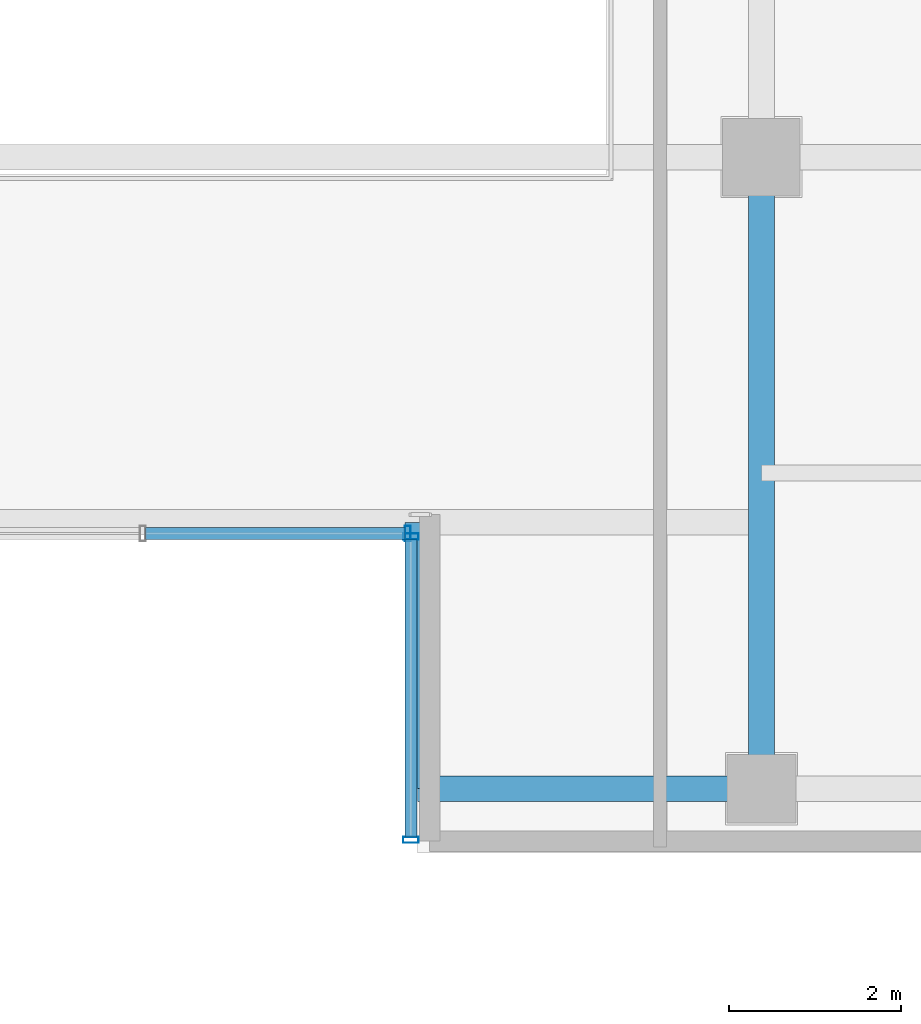
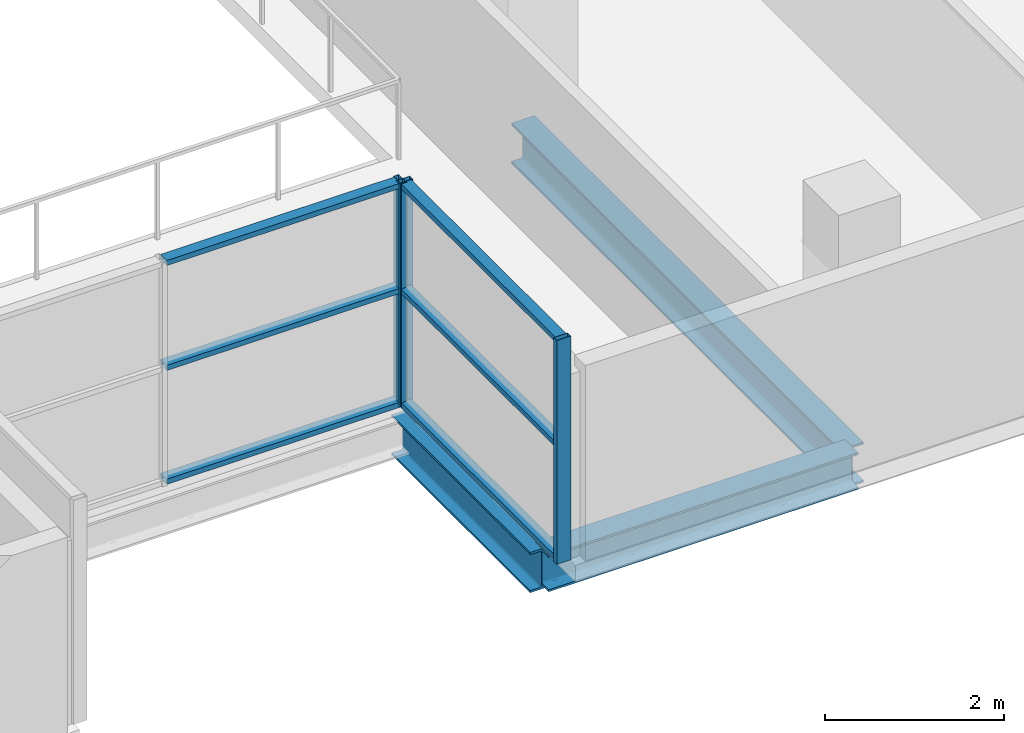
# One storey, part 10 of 28: 9 members, 3 beams, 2 elements without a shape of their own.
"""IFC4 building model written with IfcOpenShell, lengths in metres."""

from ifc_helpers import new_model, si_unit, direction, frame, origin, origin_2d, place, context, subcontext, project, spatial, hollow_rectangle, i_section, extrude, source, transform, mapped, material, layer, layer_set, material_profile, profile_set, type_object, element, aggregate, save


model = new_model("IFC4")

# Units and contexts
model_context = context("Model", 3, precision=1e-05, world=origin(), true_north=direction((0.0, 1.0)))
body_context = subcontext(model_context, "Body", "Model", "MODEL_VIEW")
ifc_project = project(units=[si_unit("LENGTHUNIT", "METRE"), si_unit("AREAUNIT", "SQUARE_METRE"), si_unit("VOLUMEUNIT", "CUBIC_METRE"), si_unit("PLANEANGLEUNIT", "RADIAN"), si_unit("MASSUNIT", "GRAM", prefix="KILO")], contexts=[model_context])

# Site, building, storey
site_placement = place(None, origin())
site = spatial("IfcSite", under=ifc_project, at=site_placement, CompositionType="ELEMENT")
building_placement = place(site_placement, origin())
building = spatial("IfcBuilding", under=site, at=building_placement, Name="Zarnakvel Exchange Tower", CompositionType="ELEMENT")
storey_placement = place(building_placement, frame((0.0, 0.0, 109.89990234375)))
storey = spatial("IfcBuildingStorey", under=building, at=storey_placement, Name="L30", CompositionType="ELEMENT", Elevation=109.89990234375)

# Beams
ifc_material_1 = material(Name="Steel S355", Category="steel")
ifc_material_profile_1 = material_profile(ifc_material_1, i_section(OverallWidth=0.300048828125, OverallDepth=0.550048828125, WebThickness=0.014892578125, FlangeThickness=0.029052734375, FilletRadius=0.027099609375, at=origin_2d()))
ifc_profile_set_1 = profile_set([ifc_material_profile_1], Name="Steel S355")
beam_type_1 = type_object("IfcBeamType", Name="G-05", PredefinedType="BEAM", material=ifc_profile_set_1)
beam_1_placement = place(storey_placement, frame((3.199951171875, -16.949951171875, -0.5), z_axis=(0.0, 1.0, 0.0), x_axis=(-1.0, 0.0, 0.0)))
element("IfcBeam", 1, at=beam_1_placement, inside=storey, type_object=beam_type_1, Name="L30 South Slot East Cheek Beam", PredefinedType="BEAM", context=body_context, shape_type="SweptSolid", body=[
    extrude(i_section(OverallWidth=0.300048828125, OverallDepth=0.550048828125, WebThickness=0.014892578125, FlangeThickness=0.029052734375, FilletRadius=0.027099609375, at=origin_2d()), origin(), (0.0, 0.0, 1.0), 3.099853515625),
])
beam_2_placement = place(storey_placement, frame((7.199951171875, -16.949951171875, -0.5), z_axis=(0.0, 1.0, 0.0), x_axis=(-1.0, 0.0, 0.0)))
element("IfcBeam", 2, at=beam_2_placement, inside=storey, type_object=beam_type_1, Name="L30 Tower N-S Frame Beam", PredefinedType="BEAM", context=body_context, shape_type="SweptSolid", body=[
    extrude(i_section(OverallWidth=0.300048828125, OverallDepth=0.550048828125, WebThickness=0.014892578125, FlangeThickness=0.029052734375, FilletRadius=0.027099609375, at=origin_2d()), origin(), (0.0, 0.0, 1.0), 7.349853515625),
])
ifc_material_profile_2 = material_profile(ifc_material_1, i_section(OverallWidth=0.300048828125, OverallDepth=0.5, WebThickness=0.014404296875, FlangeThickness=0.028076171875, FilletRadius=0.027099609375, at=origin_2d()))
ifc_profile_set_2 = profile_set([ifc_material_profile_2], Name="Steel S355")
beam_type_2 = type_object("IfcBeamType", Name="SP-02", PredefinedType="SPANDREL", material=ifc_profile_set_2)
beam_3_placement = place(storey_placement, frame((3.199951171875, -16.949951171875, -0.474853515625), z_axis=(1.0, 0.0, 0.0), x_axis=(0.0, 1.0, 0.0)))
element("IfcBeam", 3, at=beam_3_placement, inside=storey, type_object=beam_type_2, Name="L30 South Slot East Jamb Spandrel", PredefinedType="SPANDREL", context=body_context, shape_type="SweptSolid", body=[
    extrude(i_section(OverallWidth=0.300048828125, OverallDepth=0.5, WebThickness=0.014404296875, FlangeThickness=0.028076171875, FilletRadius=0.027099609375, at=origin_2d()), origin(), (0.0, 0.0, 1.0), 4.0),
])

# Curtain wall, member
ifc_material_2 = material(Name="Architectural Bronze Anodised Aluminium", Category="aluminium")
ifc_layer = layer(ifc_material_2, 0.179931640625)
ifc_layer_set = layer_set([ifc_layer], Name="Architectural Bronze Anodised Aluminium")
curtain_wall_type = type_object("IfcCurtainWallType", Name="CW-05", PredefinedType="NOTDEFINED", material=ifc_layer_set)
curtain_wall_1_placement = place(storey_placement, origin())
curtain_wall_1 = element("IfcCurtainWall", 4, at=curtain_wall_1_placement, inside=storey, type_object=curtain_wall_type, Name="L30 Curtain Wall CW-L30-SLB (CW-05)", PredefinedType="NOTDEFINED")
ifc_material_profile_3 = material_profile(ifc_material_2, hollow_rectangle(XDim=0.179931640625, YDim=0.070068359375, WallThickness=0.00390625, at=origin_2d()))
ifc_profile_set_3 = profile_set([ifc_material_profile_3], Name="Architectural Bronze Anodised Aluminium")
member_type_1 = type_object("IfcMemberType", Name="CWM-05", PredefinedType="MULLION", material=ifc_profile_set_3)
shared_shape_1 = source(origin(), body_context, "Body", "SweptSolid", [
    extrude(hollow_rectangle(XDim=0.179931640625, YDim=0.070068359375, WallThickness=0.00390625, at=origin_2d()), origin(), (0.0, 0.0, 1.0), 3.05517578125),
])
member_1_placement = place(storey_placement, frame((3.0849609375, -13.97998046875, 0.0), z_axis=(0.0, 0.0, 1.0), x_axis=(0.0, 1.0, 0.0)))
member_1 = element("IfcMember", 5, at=member_1_placement, type_object=member_type_1, Name="CW-05 mullion 3", PredefinedType="MULLION", context=body_context, shape_type="MappedRepresentation", body=[
    mapped(shared_shape_1, transform((0.0, 0.0, 0.0), x_axis=(1.0, 0.0, 0.0), y_axis=(0.0, 1.0, 0.0), z_axis=(0.0, 0.0, 1.0), scale=1.0)),
])

# Curtain wall, members
curtain_wall_2_placement = place(storey_placement, origin())
curtain_wall_2 = element("IfcCurtainWall", 6, at=curtain_wall_2_placement, inside=storey, type_object=curtain_wall_type, Name="L30 Curtain Wall CW-L30-SLE (CW-05)", PredefinedType="NOTDEFINED")
member_2_placement = place(storey_placement, frame((3.1201171875, -14.014892578125, 0.0), z_axis=(0.0, 0.0, 1.0), x_axis=(1.0, 0.0, 0.0)))
member_2 = element("IfcMember", 7, at=member_2_placement, type_object=member_type_1, Name="CW-05 mullion 1", PredefinedType="MULLION", context=body_context, shape_type="MappedRepresentation", body=[
    mapped(shared_shape_1, transform((0.0, 0.0, 0.0), x_axis=(1.0, 0.0, 0.0), y_axis=(0.0, 1.0, 0.0), z_axis=(0.0, 0.0, 1.0), scale=1.0)),
])
member_3_placement = place(storey_placement, frame((3.1201171875, -17.544921875, 0.0), z_axis=(0.0, 0.0, 1.0), x_axis=(1.0, 0.0, 0.0)))
member_3 = element("IfcMember", 8, at=member_3_placement, type_object=member_type_1, Name="CW-05 mullion 2", PredefinedType="MULLION", context=body_context, shape_type="MappedRepresentation", body=[
    mapped(shared_shape_1, transform((0.0, 0.0, 0.0), x_axis=(1.0, 0.0, 0.0), y_axis=(0.0, 1.0, 0.0), z_axis=(0.0, 0.0, 1.0), scale=1.0)),
])
ifc_material_profile_4 = material_profile(ifc_material_2, hollow_rectangle(XDim=0.139892578125, YDim=0.070068359375, WallThickness=0.00390625, at=origin_2d()))
ifc_profile_set_4 = profile_set([ifc_material_profile_4], Name="Architectural Bronze Anodised Aluminium")
member_type_2 = type_object("IfcMemberType", Name="CWT-05", PredefinedType="USERDEFINED", material=ifc_profile_set_4)
shared_shape_2 = source(origin(), body_context, "Body", "SweptSolid", [
    extrude(hollow_rectangle(XDim=0.139892578125, YDim=0.070068359375, WallThickness=0.00390625, at=origin_2d()), origin(), (0.0, 0.0, 1.0), 3.4599609375),
])
member_4_placement = place(storey_placement, frame((3.1201171875, -14.050048828125, 0.03515625), z_axis=(0.0, -1.0, 0.0), x_axis=(1.0, 0.0, 0.0)))
member_4 = element("IfcMember", 9, at=member_4_placement, type_object=member_type_2, Name="CW-05 transom 1.1", ObjectType="TRANSOM", PredefinedType="USERDEFINED", context=body_context, shape_type="MappedRepresentation", body=[
    mapped(shared_shape_2, transform((0.0, 0.0, 0.0), x_axis=(1.0, 0.0, 0.0), y_axis=(0.0, 1.0, 0.0), z_axis=(0.0, 0.0, 1.0), scale=1.0)),
])
member_5_placement = place(storey_placement, frame((3.1201171875, -14.050048828125, 1.588623046875), z_axis=(0.0, -1.0, 0.0), x_axis=(1.0, 0.0, 0.0)))
member_5 = element("IfcMember", 10, at=member_5_placement, type_object=member_type_2, Name="CW-05 transom 1.2", ObjectType="TRANSOM", PredefinedType="USERDEFINED", context=body_context, shape_type="MappedRepresentation", body=[
    mapped(shared_shape_2, transform((0.0, 0.0, 0.0), x_axis=(1.0, 0.0, 0.0), y_axis=(0.0, 1.0, 0.0), z_axis=(0.0, 0.0, 1.0), scale=1.0)),
])
member_6_placement = place(storey_placement, frame((3.1201171875, -14.050048828125, 3.02001953125), z_axis=(0.0, -1.0, 0.0), x_axis=(1.0, 0.0, 0.0)))
member_6 = element("IfcMember", 11, at=member_6_placement, type_object=member_type_2, Name="CW-05 transom 1.3", ObjectType="TRANSOM", PredefinedType="USERDEFINED", context=body_context, shape_type="MappedRepresentation", body=[
    mapped(shared_shape_2, transform((0.0, 0.0, 0.0), x_axis=(1.0, 0.0, 0.0), y_axis=(0.0, 1.0, 0.0), z_axis=(0.0, 0.0, 1.0), scale=1.0)),
])
aggregate(curtain_wall_2, [member_2, member_3, member_4, member_5, member_6])

# Member
shared_shape_3 = source(origin(), body_context, "Body", "SweptSolid", [
    extrude(hollow_rectangle(XDim=0.139892578125, YDim=0.070068359375, WallThickness=0.00390625, at=origin_2d()), origin(), (0.0, 0.0, 1.0), 3.01513671875),
])
member_7_placement = place(storey_placement, frame((0.034912109375, -13.97998046875, 0.03515625), z_axis=(1.0, 0.0, 0.0), x_axis=(0.0, 1.0, 0.0)))
member_7 = element("IfcMember", 12, at=member_7_placement, type_object=member_type_2, Name="CW-05 transom 2.1", ObjectType="TRANSOM", PredefinedType="USERDEFINED", context=body_context, shape_type="MappedRepresentation", body=[
    mapped(shared_shape_3, transform((0.0, 0.0, 0.0), x_axis=(1.0, 0.0, 0.0), y_axis=(0.0, 1.0, 0.0), z_axis=(0.0, 0.0, 1.0), scale=1.0)),
])

member_8_placement = place(storey_placement, frame((0.034912109375, -13.97998046875, 1.588623046875), z_axis=(1.0, 0.0, 0.0), x_axis=(0.0, 1.0, 0.0)))
member_8 = element("IfcMember", 13, at=member_8_placement, type_object=member_type_2, Name="CW-05 transom 2.2", ObjectType="TRANSOM", PredefinedType="USERDEFINED", context=body_context, shape_type="MappedRepresentation", body=[
    mapped(shared_shape_3, transform((0.0, 0.0, 0.0), x_axis=(1.0, 0.0, 0.0), y_axis=(0.0, 1.0, 0.0), z_axis=(0.0, 0.0, 1.0), scale=1.0)),
])

member_9_placement = place(storey_placement, frame((0.034912109375, -13.97998046875, 3.02001953125), z_axis=(1.0, 0.0, 0.0), x_axis=(0.0, 1.0, 0.0)))
member_9 = element("IfcMember", 14, at=member_9_placement, type_object=member_type_2, Name="CW-05 transom 2.3", ObjectType="TRANSOM", PredefinedType="USERDEFINED", context=body_context, shape_type="MappedRepresentation", body=[
    mapped(shared_shape_3, transform((0.0, 0.0, 0.0), x_axis=(1.0, 0.0, 0.0), y_axis=(0.0, 1.0, 0.0), z_axis=(0.0, 0.0, 1.0), scale=1.0)),
])

aggregate(curtain_wall_1, [member_1, member_7, member_8, member_9])

save(model, "model.ifc")
